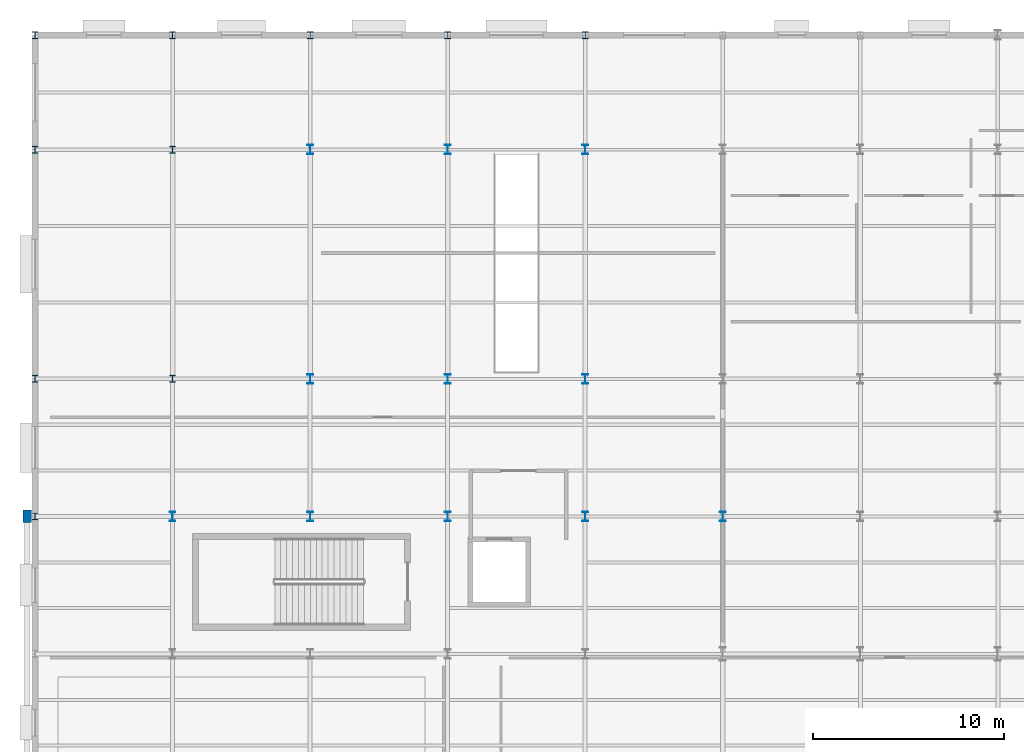
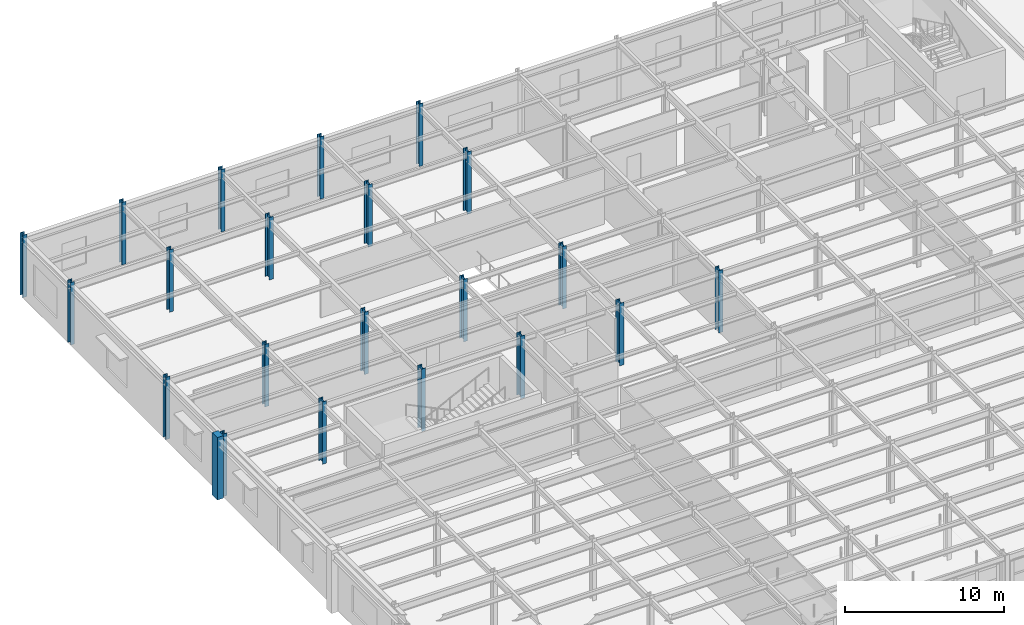
# One storey, part 10 of 121: 22 columns.
"""IFC4 building model written with IfcOpenShell, lengths in metres."""

import ifcopenshell
import ifcopenshell.guid

model = None  # the IFC model being written
_history = None  # IfcOwnerHistory: only IFC2X3 demands one
_inside = {}  # id of a spatial element -> (the spatial element, [elements in it])
_under = {}  # id of a project, library or spatial element -> (it, [spatial elements below it])
_declared = {}  # id of a project -> (the project, [libraries it declares])
_typed = {}  # id of a type object -> (the type object, [elements of that type])
_made_of = {}  # id of a material, layer set ... -> (it, [elements and type objects made of it])


def new_model(schema):
    """Start an empty IFC model of exactly this schema.

    Asked for "IFC4X3", IfcOpenShell would pick the latest addendum, in which some entities
    have other attributes; the version numbers below select the first issue.
    IFC2X3 requires an IfcOwnerHistory on every rooted entity: one is made here for all.
    """
    global model, _history
    if schema == "IFC4X3":
        model = ifcopenshell.file(schema_version=(4, 3, 0, 0))
    else:
        model = ifcopenshell.file(schema=schema)
    _inside.clear()
    _under.clear()
    _declared.clear()
    _typed.clear()
    _made_of.clear()
    _history = None
    if model.schema == "IFC2X3":
        org = make("IfcOrganization", Name="unknown")
        user = make(
            "IfcPersonAndOrganization",
            ThePerson=make("IfcPerson", FamilyName="unknown"),
            TheOrganization=org,
        )
        app = make(
            "IfcApplication",
            ApplicationDeveloper=org,
            Version="unknown",
            ApplicationFullName="unknown",
            ApplicationIdentifier="unknown",
        )
        _history = make(
            "IfcOwnerHistory",
            OwningUser=user,
            OwningApplication=app,
            ChangeAction="ADDED",
            CreationDate=0,
        )
    return model


def make(cls, **values):
    """One entity of the class cls with the attributes given. An attribute that is None is left unset."""
    return model.create_entity(
        cls, **{name: value for name, value in values.items() if value is not None}
    )


def rooted(cls, **values):
    """An entity with a GlobalId (a new one), such as an element, a storey or a relation."""
    return make(cls, GlobalId=ifcopenshell.guid.new(), OwnerHistory=_history, **values)


def si_unit(unit_type, name, prefix=None):
    """IfcSIUnit, for example si_unit("LENGTHUNIT", "METRE", prefix="MILLI")."""
    return make("IfcSIUnit", UnitType=unit_type, Prefix=prefix, Name=name)


def assignment(units):
    """IfcUnitAssignment: the units of a project."""
    return None if units is None else make("IfcUnitAssignment", Units=units)


def point(xyz):
    """IfcCartesianPoint."""
    return None if xyz is None else make("IfcCartesianPoint", Coordinates=xyz)


def direction(xyz):
    """IfcDirection."""
    return None if xyz is None else make("IfcDirection", DirectionRatios=xyz)


def frame(location, z_axis=None, x_axis=None):
    """IfcAxis2Placement3D, a coordinate frame: its origin and axes. An axis left out is left unset."""
    return make(
        "IfcAxis2Placement3D",
        Location=point(location),
        Axis=direction(z_axis),
        RefDirection=direction(x_axis),
    )


def frame_2d(location, x_axis=None):
    """IfcAxis2Placement2D, a coordinate frame in the plane: its origin and x axis."""
    return make(
        "IfcAxis2Placement2D", Location=point(location), RefDirection=direction(x_axis)
    )


def origin():
    """The frame at (0, 0, 0) with its axes left unset."""
    return frame((0.0, 0.0, 0.0))


def origin_2d():
    """The frame at (0, 0) in the plane with its x axis left unset."""
    return frame_2d((0.0, 0.0))


def place(relative_to, where):
    """IfcLocalPlacement: puts the frame where relative to a parent placement (None: the world)."""
    return make(
        "IfcLocalPlacement", PlacementRelTo=relative_to, RelativePlacement=where
    )


def context(
    kind, dimensions, precision=None, world=None, true_north=None, identifier=None
):
    """IfcGeometricRepresentationContext, for example the 3D "Model" context."""
    return make(
        "IfcGeometricRepresentationContext",
        ContextIdentifier=identifier,
        ContextType=kind,
        CoordinateSpaceDimension=dimensions,
        Precision=precision,
        WorldCoordinateSystem=world,
        TrueNorth=true_north,
    )


def subcontext(parent, identifier, kind, view, scale=None):
    """IfcGeometricRepresentationSubContext, for example "Body" below "Model"."""
    return make(
        "IfcGeometricRepresentationSubContext",
        ContextIdentifier=identifier,
        ContextType=kind,
        ParentContext=parent,
        TargetScale=scale,
        TargetView=view,
    )


def project(units=None, contexts=None):
    """IfcProject with its units and contexts."""
    return rooted(
        "IfcProject",
        Name="project",
        RepresentationContexts=contexts,
        UnitsInContext=assignment(units),
    )


def spatial(cls, under=None, at=None, **own):
    """A site, building, storey or space (cls), placed at a placement, below another one or the project."""
    s = rooted(cls, ObjectPlacement=at, **own)
    if under is not None:
        _under.setdefault(under.id(), (under, []))[1].append(s)
    return s


def profile(cls, at=None, kind="AREA", **sizes):
    """A parametric profile (cls). Its sizes go by their IFC names, for example OverallWidth=200.0."""
    return make(cls, ProfileType=kind, Position=at, **sizes)


def rectangle(**sizes):
    """IfcRectangleProfileDef."""
    return profile("IfcRectangleProfileDef", **sizes)


def i_section(**sizes):
    """IfcIShapeProfileDef."""
    return profile("IfcIShapeProfileDef", **sizes)


def extrude(swept, where, along, depth):
    """IfcExtrudedAreaSolid: the profile swept, set in the frame where, extruded along a direction by depth."""
    return make(
        "IfcExtrudedAreaSolid",
        SweptArea=swept,
        Position=where,
        ExtrudedDirection=direction(along),
        Depth=depth,
    )


def shape(context_of_items, identifier, shape_type, items):
    """IfcShapeRepresentation: the items that make up one representation, for example the "Body"."""
    return make(
        "IfcShapeRepresentation",
        ContextOfItems=context_of_items,
        RepresentationIdentifier=identifier,
        RepresentationType=shape_type,
        Items=items,
    )


def material(Name=None, Category=None):
    """IfcMaterial."""
    return make("IfcMaterial", Name=Name, Category=Category)


def material_profile(
    of_material, cross_section, Name=None, Category=None, Priority=None
):
    """IfcMaterialProfile: a cross section and its material."""
    return make(
        "IfcMaterialProfile",
        Name=Name,
        Material=of_material,
        Profile=cross_section,
        Priority=Priority,
        Category=Category,
    )


def profile_set(profiles, Name=None, composite=None):
    """IfcMaterialProfileSet."""
    return make(
        "IfcMaterialProfileSet",
        Name=Name,
        MaterialProfiles=profiles,
        CompositeProfile=composite,
    )


def made_of(thing, what):
    """Note that an element or type object is made of a material, layer set ...; save() writes the relation."""
    if what is not None:
        _made_of.setdefault(what.id(), (what, []))[1].append(thing)
    return thing


def type_object(cls, material=None, **own):
    """A type object (cls), such as IfcWallType, which elements share."""
    return made_of(rooted(cls, **own), material)


def element(
    cls,
    number,
    at=None,
    inside=None,
    cuts=None,
    type_object=None,
    material=None,
    context=None,
    identifier="Body",
    shape_type=None,
    held_by="IfcProductDefinitionShape",
    body=None,
    shapes=None,
    **own,
):
    """One element of the class cls, such as IfcWall. Its Tag is "e" and its number.

    at: its placement. inside: the storey or other place that contains it. cuts: it is an
    opening in that element (IfcRelVoidsElement). A single representation is given by context,
    identifier, shape_type and body (its items); several are given by shapes. held_by: the class
    of the entity that holds the representations. save() writes the other relations.
    """
    e = rooted(cls, Tag="e%d" % number, ObjectPlacement=at, **own)
    if body is not None:
        shapes = [shape(context, identifier, shape_type, body)]
    if shapes is not None:
        e.Representation = make(held_by, Representations=shapes)
    if inside is not None:
        _inside.setdefault(inside.id(), (inside, []))[1].append(e)
    if cuts is not None:
        rooted(
            "IfcRelVoidsElement", RelatingBuildingElement=cuts, RelatedOpeningElement=e
        )
    if type_object is not None:
        _typed.setdefault(type_object.id(), (type_object, []))[1].append(e)
    return made_of(e, material)


def aggregate(whole, parts):
    """IfcRelAggregates: a whole, such as a stair, and the parts it consists of."""
    return rooted("IfcRelAggregates", RelatingObject=whole, RelatedObjects=parts)


def save(model, path):
    """Write the relations noted so far, then the file.

    IfcRelAggregates (storeys below a building ...), IfcRelContainedInSpatialStructure (elements
    in a storey), IfcRelDefinesByType, IfcRelAssociatesMaterial and IfcRelDeclares: one each for
    every whole, place, type object, material and project.
    """
    for whole, parts in _under.values():
        aggregate(whole, parts)
    for where, things in _inside.values():
        rooted(
            "IfcRelContainedInSpatialStructure",
            RelatedElements=things,
            RelatingStructure=where,
        )
    for kind, things in _typed.values():
        rooted("IfcRelDefinesByType", RelatedObjects=things, RelatingType=kind)
    for what, things in _made_of.values():
        rooted("IfcRelAssociatesMaterial", RelatedObjects=things, RelatingMaterial=what)
    for by, libraries in _declared.values():
        rooted("IfcRelDeclares", RelatingContext=by, RelatedDefinitions=libraries)
    model.write(path)


model = new_model("IFC4")

# Units and contexts
model_context = context("Model", 3, precision=1e-05, world=origin(), true_north=direction((0.0, 1.0)))
body_context = subcontext(model_context, "Body", "Model", "MODEL_VIEW")
ifc_project = project(units=[si_unit("LENGTHUNIT", "METRE"), si_unit("AREAUNIT", "SQUARE_METRE"), si_unit("VOLUMEUNIT", "CUBIC_METRE"), si_unit("PLANEANGLEUNIT", "RADIAN"), si_unit("MASSUNIT", "GRAM", prefix="KILO")], contexts=[model_context])

# Site, building, storey
site_placement = place(None, origin())
site = spatial("IfcSite", under=ifc_project, at=site_placement, CompositionType="ELEMENT")
building_placement = place(site_placement, origin())
building = spatial("IfcBuilding", under=site, at=building_placement, Name="Solvadek Multi-Sports Hall", CompositionType="ELEMENT")
storey_placement = place(building_placement, frame((0.0, 0.0, 4.800048828125)))
storey = spatial("IfcBuildingStorey", under=building, at=storey_placement, Name="L01", CompositionType="ELEMENT", Elevation=4.800048828125)

# Columns
ifc_material_1 = material(Name="Steel E350 (350 MPa)", Category="steel")
ifc_material_profile_1 = material_profile(ifc_material_1, i_section(OverallWidth=0.300048828125, OverallDepth=0.360107421875, WebThickness=0.012451171875, FlangeThickness=0.0224609375, at=origin_2d()), Name="WPB 360")
ifc_profile_set_1 = profile_set([ifc_material_profile_1], Name="Steel E350 (350 MPa)")
column_type_1 = type_object("IfcColumnType", Name="STR-COL-WPB360", PredefinedType="COLUMN", material=ifc_profile_set_1)
for number, where, z_axis, x_axis, name in (
    (1, (0.0, 85.199951171875, 0.0), (0.0, 0.0, 1.0), (1.0, 0.0, 0.0), "L01 Column C-08 #10"),
    (2, (0.0, 92.39990234375, 0.0), (0.0, 0.0, 1.0), (1.0, 0.0, 0.0), "L01 Column C-08 #11"),
    (3, (0.0, 104.39990234375, 0.0), (0.0, 0.0, 1.0), (1.0, 0.0, 0.0), "L01 Column C-08 #12"),
    (4, (0.0, 110.39990234375, 0.0), (0.0, 0.0, 1.0), (1.0, 0.0, 0.0), "L01 Column C-08 #13"),
    (5, (7.199951171875, 92.39990234375, 0.0), (0.0, 0.0, 1.0), (1.0, 0.0, 0.0), "L01 Column C-08 #24"),
    (6, (7.199951171875, 104.39990234375, 0.0), (0.0, 0.0, 1.0), (1.0, 0.0, 0.0), "L01 Column C-08 #25"),
    (7, (7.199951171875, 110.39990234375, 0.0), (0.0, 0.0, 1.0), (1.0, 0.0, 0.0), "L01 Column C-08 #26"),
    (8, (14.39990234375, 110.39990234375, 0.0), (0.0, 0.0, 1.0), (1.0, 0.0, 0.0), "L01 Column C-08 #39"),
    (9, (21.60009765625, 110.39990234375, 0.0), (0.0, 0.0, 1.0), (1.0, 0.0, 0.0), "L01 Column C-08 #52"),
    (10, (28.800048828125, 110.39990234375, 0.0), (0.0, 0.0, 1.0), (1.0, 0.0, 0.0), "L01 Column C-08 #65"),
):
    element("IfcColumn", number, at=place(storey_placement, frame(where, z_axis=z_axis, x_axis=x_axis)), inside=storey, type_object=column_type_1, Name=name, PredefinedType="COLUMN", context=body_context, shape_type="SweptSolid", body=[
        extrude(i_section(OverallWidth=0.300048828125, OverallDepth=0.360107421875, WebThickness=0.012451171875, FlangeThickness=0.0224609375, at=origin_2d()), origin(), (0.0, 0.0, 1.0), 4.800048828125),
    ])
ifc_material_profile_2 = material_profile(ifc_material_1, i_section(OverallWidth=0.300048828125, OverallDepth=0.5, WebThickness=0.014404296875, FlangeThickness=0.028076171875, at=origin_2d()), Name="WPB 500")
ifc_profile_set_2 = profile_set([ifc_material_profile_2], Name="Steel E350 (350 MPa)")
column_type_2 = type_object("IfcColumnType", Name="STR-COL-WPB500", PredefinedType="COLUMN", material=ifc_profile_set_2)
for number, where, z_axis, x_axis, name in (
    (11, (7.199951171875, 85.199951171875, 0.0), (0.0, 0.0, 1.0), (1.0, 0.0, 0.0), "L01 Column C-05 #23"),
    (12, (14.39990234375, 85.199951171875, 0.0), (0.0, 0.0, 1.0), (1.0, 0.0, 0.0), "L01 Column C-05 #36"),
    (13, (14.39990234375, 92.39990234375, 0.0), (0.0, 0.0, 1.0), (1.0, 0.0, 0.0), "L01 Column C-05 #37"),
    (14, (14.39990234375, 104.39990234375, 0.0), (0.0, 0.0, 1.0), (1.0, 0.0, 0.0), "L01 Column C-05 #38"),
    (15, (21.60009765625, 85.199951171875, 0.0), (0.0, 0.0, 1.0), (1.0, 0.0, 0.0), "L01 Column C-05 #49"),
    (16, (21.60009765625, 92.39990234375, 0.0), (0.0, 0.0, 1.0), (1.0, 0.0, 0.0), "L01 Column C-05 #50"),
    (17, (21.60009765625, 104.39990234375, 0.0), (0.0, 0.0, 1.0), (1.0, 0.0, 0.0), "L01 Column C-05 #51"),
    (18, (28.800048828125, 85.199951171875, 0.0), (0.0, 0.0, 1.0), (1.0, 0.0, 0.0), "L01 Column C-05 #62"),
    (19, (28.800048828125, 92.39990234375, 0.0), (0.0, 0.0, 1.0), (1.0, 0.0, 0.0), "L01 Column C-05 #63"),
    (20, (28.800048828125, 104.39990234375, 0.0), (0.0, 0.0, 1.0), (1.0, 0.0, 0.0), "L01 Column C-05 #64"),
    (21, (36.0, 85.199951171875, 0.0), (0.0, 0.0, 1.0), (1.0, 0.0, 0.0), "L01 Column C-05 #77"),
):
    element("IfcColumn", number, at=place(storey_placement, frame(where, z_axis=z_axis, x_axis=x_axis)), inside=storey, type_object=column_type_2, Name=name, PredefinedType="COLUMN", context=body_context, shape_type="SweptSolid", body=[
        extrude(i_section(OverallWidth=0.300048828125, OverallDepth=0.5, WebThickness=0.014404296875, FlangeThickness=0.028076171875, at=origin_2d()), origin(), (0.0, 0.0, 1.0), 4.800048828125),
    ])
ifc_material_2 = material(Name="Precast concrete M40", Category="concrete")
ifc_material_profile_3 = material_profile(ifc_material_2, rectangle(XDim=0.449951171875, YDim=0.64990234375, at=origin_2d()), Name="RC PILASTER 650x450")
ifc_profile_set_3 = profile_set([ifc_material_profile_3], Name="Precast concrete M40")
column_type_3 = type_object("IfcColumnType", Name="STR-PIL-650X450", PredefinedType="PILASTER", material=ifc_profile_set_3)
column_placement = place(storey_placement, frame((-0.419921875, 85.199951171875, 0.0), z_axis=(0.0, 0.0, 1.0), x_axis=(1.0, 0.0, 0.0)))
element("IfcColumn", 22, at=column_placement, inside=storey, type_object=column_type_3, Name="L01 Column CP-01 #316", PredefinedType="PILASTER", context=body_context, shape_type="SweptSolid", body=[
    extrude(rectangle(XDim=0.449951171875, YDim=0.64990234375, at=origin_2d()), origin(), (0.0, 0.0, 1.0), 4.800048828125),
])

save(model, "model.ifc")
